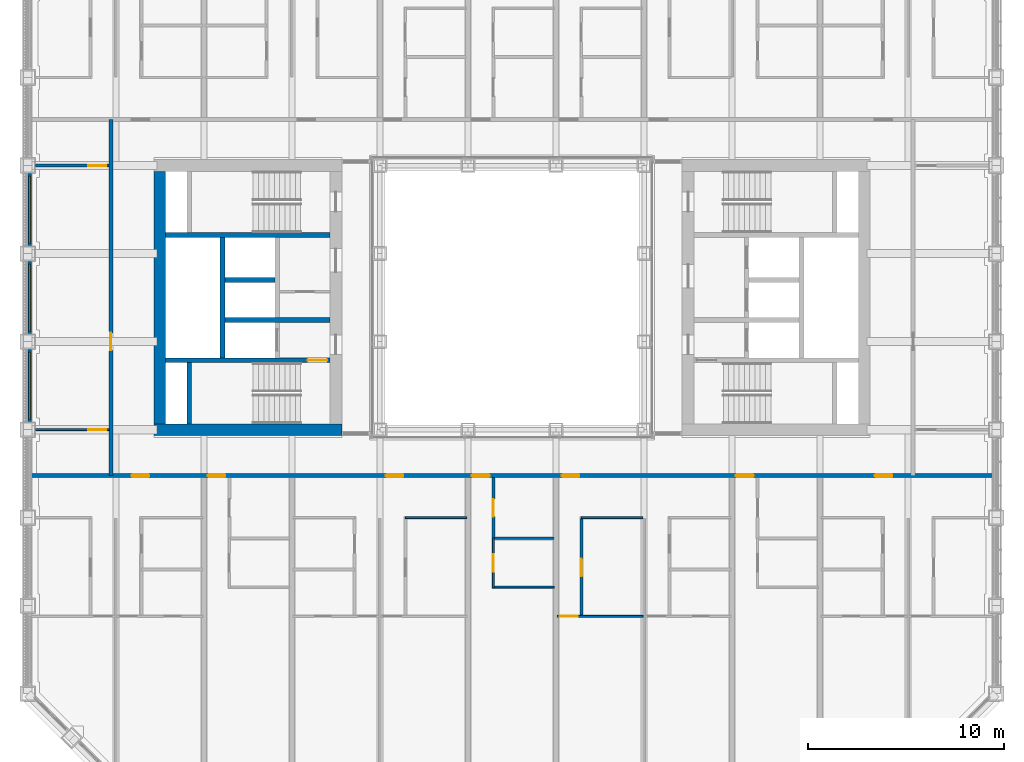
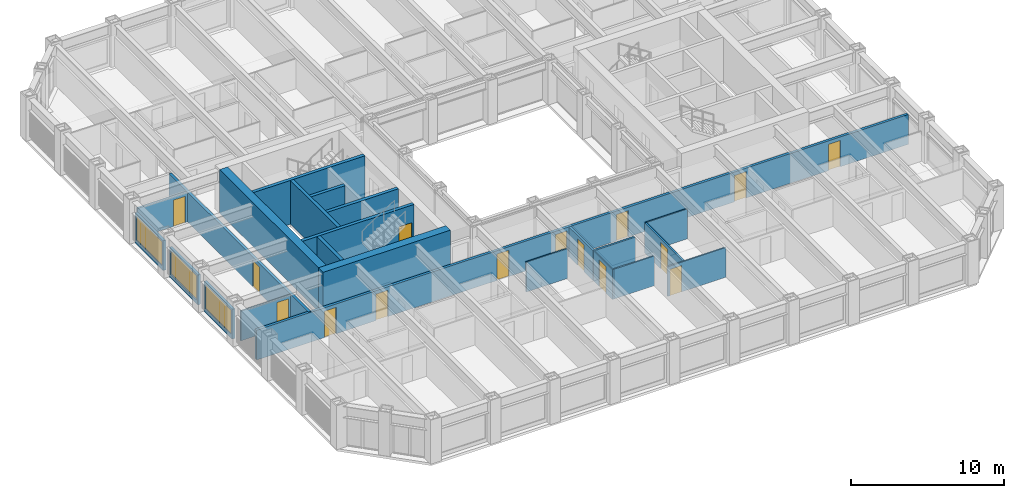
# One storey, part 10 of 21: 23 walls, 15 doors, 3 windows, 18 openings.
"""IFC4 building model written with IfcOpenShell, lengths in metres."""

from ifc_helpers import new_model, si_unit, direction, frame, frame_2d, origin, place, context, subcontext, project, spatial, rectangle, extrude, material, layer, layer_set, type_object, element, fill, save


model = new_model("IFC4")

# Units and contexts
model_context = context("Model", 3, precision=1e-05, world=origin(), true_north=direction((0.0, 1.0)))
body_context = subcontext(model_context, "Body", "Model", "MODEL_VIEW")
ifc_project = project(units=[si_unit("LENGTHUNIT", "METRE"), si_unit("AREAUNIT", "SQUARE_METRE"), si_unit("VOLUMEUNIT", "CUBIC_METRE"), si_unit("PLANEANGLEUNIT", "RADIAN"), si_unit("MASSUNIT", "GRAM", prefix="KILO")], contexts=[model_context])

# Site, building, storey
site_placement = place(None, origin())
site = spatial("IfcSite", under=ifc_project, at=site_placement, CompositionType="ELEMENT")
building_placement = place(site_placement, origin())
building = spatial("IfcBuilding", under=site, at=building_placement, Name="Msasa Ring Tower", CompositionType="ELEMENT")
storey_placement = place(building_placement, frame((0.0, 0.0, 37.0)))
storey = spatial("IfcBuildingStorey", under=building, at=storey_placement, Name="L08", CompositionType="ELEMENT", Elevation=37.0)

# Walls
ifc_material_1 = material(Name="Concrete C60/75", Category="concrete")
ifc_layer_1 = layer(ifc_material_1, 0.60009765625)
ifc_layer_set_1 = layer_set([ifc_layer_1], Name="CW1 CORE WALL 600")
wall_type_1 = type_object("IfcWallType", Name="CW1 CORE WALL 600", PredefinedType="SHEAR", material=ifc_layer_set_1)
wall_1_placement = place(storey_placement, frame((-8.699951171875, -6.75, 0.0), z_axis=(0.0, 0.0, 1.0), x_axis=(-1.0, 0.0, 0.0)))
element("IfcWall", 1, at=wall_1_placement, inside=storey, type_object=wall_type_1, Name="W core wall S L08", PredefinedType="SHEAR", context=body_context, shape_type="SweptSolid", body=[
    extrude(rectangle(XDim=9.60009765625, YDim=0.60009765625, at=frame_2d((4.800048828125, 0.0))), origin(), (0.0, 0.0, 1.0), 3.5),
])
wall_2_placement = place(storey_placement, frame((-18.0, -6.449951171875, 0.0), z_axis=(0.0, 0.0, 1.0), x_axis=(0.0, 1.0, 0.0)))
element("IfcWall", 2, at=wall_2_placement, inside=storey, type_object=wall_type_1, Name="W core wall E L08", PredefinedType="SHEAR", context=body_context, shape_type="SweptSolid", body=[
    extrude(rectangle(XDim=12.89990234375, YDim=0.60009765625, at=frame_2d((6.449951171875, 0.0))), origin(), (0.0, 0.0, 1.0), 3.5),
])

# Wall, opening, door
ifc_material_2 = material(Name="Concrete C60/75", Category="concrete")
ifc_layer_2 = layer(ifc_material_2, 0.25)
ifc_layer_set_2 = layer_set([ifc_layer_2], Name="CW4 CORE INNER WALL 250")
wall_type_2 = type_object("IfcWallType", Name="CW4 CORE INNER WALL 250", PredefinedType="SHEAR", material=ifc_layer_set_2)
wall_3_placement = place(storey_placement, frame((-9.300048828125, -3.199951171875, 0.0), z_axis=(0.0, 0.0, 1.0), x_axis=(-1.0, 0.0, 0.0)))
wall_3 = element("IfcWall", 3, at=wall_3_placement, inside=storey, type_object=wall_type_2, Name="W core wall STAIRA L08", PredefinedType="SHEAR", context=body_context, shape_type="SweptSolid", body=[
    extrude(rectangle(XDim=8.39990234375, YDim=0.25, at=frame_2d((4.199951171875, 0.0))), origin(), (0.0, 0.0, 1.0), 3.5),
])
opening_1_placement = place(wall_3_placement, frame((0.14990234375, 0.0, 0.0)))
opening_1 = element("IfcOpeningElement", 4, at=opening_1_placement, cuts=wall_3, Name="Opening RB-047", PredefinedType="OPENING", context=body_context, shape_type="SweptSolid", body=[
    extrude(rectangle(XDim=1.0, YDim=2.10009765625, at=frame_2d((0.5, 1.050048828125))), frame((0.0, 0.135009765625, 0.0), z_axis=(0.0, -1.0, 0.0), x_axis=(1.0, 0.0, 0.0)), (0.0, 0.0, 1.0), 0.27001953125),
])
ifc_material_3 = material(Name="Timber door leaf in a steel frame", Category="steel")
door_type_1 = type_object("IfcDoorType", Name="D6 STAIR DOOR 1000x2100", OperationType="SINGLE_SWING_LEFT", PredefinedType="DOOR", material=ifc_material_3)
door_1_placement = place(opening_1_placement, origin())
door_1 = element("IfcDoor", 5, at=door_1_placement, inside=storey, type_object=door_type_1, Name="Door L08-WSTA", OperationType="SINGLE_SWING_LEFT", OverallHeight=2.10009765625, OverallWidth=1.0, PredefinedType="DOOR", context=body_context, shape_type="SweptSolid", body=[
    extrude(rectangle(XDim=1.0, YDim=2.10009765625, at=frame_2d((0.5, 1.050048828125))), frame((0.0, 0.02490234375, 0.0), z_axis=(0.0, -1.0, 0.0), x_axis=(1.0, 0.0, 0.0)), (0.0, 0.0, 1.0), 0.050048828125),
])
fill(opening_1, door_1)

# Walls
wall_4_placement = place(storey_placement, frame((-9.300048828125, 3.199951171875, 0.0), z_axis=(0.0, 0.0, 1.0), x_axis=(-1.0, 0.0, 0.0)))
element("IfcWall", 6, at=wall_4_placement, inside=storey, type_object=wall_type_2, Name="W core wall STAIRB L08", PredefinedType="SHEAR", context=body_context, shape_type="SweptSolid", body=[
    extrude(rectangle(XDim=8.39990234375, YDim=0.25, at=frame_2d((4.199951171875, 0.0))), origin(), (0.0, 0.0, 1.0), 3.5),
])
wall_5_placement = place(storey_placement, frame((-16.5, -6.449951171875, 0.0), z_axis=(0.0, 0.0, 1.0), x_axis=(0.0, 1.0, 0.0)))
element("IfcWall", 7, at=wall_5_placement, inside=storey, type_object=wall_type_2, Name="W core wall RISERA L08", PredefinedType="SHEAR", context=body_context, shape_type="SweptSolid", body=[
    extrude(rectangle(XDim=3.125, YDim=0.25, at=frame_2d((1.5625, 0.0))), origin(), (0.0, 0.0, 1.0), 3.5),
])
wall_6_placement = place(storey_placement, frame((-9.300048828125, -1.14990234375, 0.0), z_axis=(0.0, 0.0, 1.0), x_axis=(-1.0, 0.0, 0.0)))
element("IfcWall", 8, at=wall_6_placement, inside=storey, type_object=wall_type_2, Name="W core wall FFL L08", PredefinedType="SHEAR", context=body_context, shape_type="SweptSolid", body=[
    extrude(rectangle(XDim=5.375, YDim=0.25, at=frame_2d((2.6875, 0.0))), origin(), (0.0, 0.0, 1.0), 3.5),
])
wall_7_placement = place(storey_placement, frame((-14.800048828125, -3.074951171875, 0.0), z_axis=(0.0, 0.0, 1.0), x_axis=(0.0, 1.0, 0.0)))
element("IfcWall", 9, at=wall_7_placement, inside=storey, type_object=wall_type_2, Name="W core wall SHAFT L08", PredefinedType="SHEAR", context=body_context, shape_type="SweptSolid", body=[
    extrude(rectangle(XDim=6.14990234375, YDim=0.25, at=frame_2d((3.074951171875, 0.0))), origin(), (0.0, 0.0, 1.0), 3.5),
])
wall_8_placement = place(storey_placement, frame((-12.125, 0.89990234375, 0.0), z_axis=(0.0, 0.0, 1.0), x_axis=(-1.0, 0.0, 0.0)))
element("IfcWall", 10, at=wall_8_placement, inside=storey, type_object=wall_type_2, Name="W core wall LIFT1 L08", PredefinedType="SHEAR", context=body_context, shape_type="SweptSolid", body=[
    extrude(rectangle(XDim=2.550048828125, YDim=0.25, at=frame_2d((1.27490234375, 0.0))), origin(), (0.0, 0.0, 1.0), 3.5),
])

# Wall, opening, window
ifc_material_4 = material(Name="Terracotta rainscreen on blockwork", Category="masonry")
ifc_layer_3 = layer(ifc_material_4, 0.199951171875)
ifc_layer_set_3 = layer_set([ifc_layer_3], Name="FW1 TERRACOTTA-LINED INFILL BAY WALL 200")
wall_type_3 = type_object("IfcWallType", Name="FW1 TERRACOTTA-LINED INFILL BAY WALL 200", PredefinedType="SOLIDWALL", material=ifc_layer_set_3)
wall_9_placement = place(storey_placement, frame((-24.64990234375, -6.344970703125, 0.0), z_axis=(0.0, 0.0, 1.0), x_axis=(0.0, 1.0, 0.0)))
wall_9 = element("IfcWall", 11, at=wall_9_placement, inside=storey, type_object=wall_type_3, Name="Infill bay wall W L08 36", PredefinedType="SOLIDWALL", context=body_context, shape_type="SweptSolid", body=[
    extrude(rectangle(XDim=3.68994140625, YDim=0.199951171875, at=frame_2d((1.844970703125, 0.0))), origin(), (0.0, 0.0, 1.0), 2.37890625),
])
opening_2_placement = place(wall_9_placement, frame((0.14501953125, 0.0, 0.300048828125)))
opening_2 = element("IfcOpeningElement", 12, at=opening_2_placement, cuts=wall_9, Name="Opening WN1", PredefinedType="OPENING", context=body_context, shape_type="SweptSolid", body=[
    extrude(rectangle(XDim=3.39990234375, YDim=1.928955078125, at=frame_2d((1.699951171875, 0.96435546875))), frame((0.0, 0.10986328125, 0.0), z_axis=(0.0, -1.0, 0.0), x_axis=(1.0, 0.0, 0.0)), (0.0, 0.0, 1.0), 0.219970703125),
])
ifc_material_5 = material(Name="Aluminium frame with clear glass", Category="aluminium")
window_type = type_object("IfcWindowType", Name="WN1 RESIDENCE WINDOW 3400x1929", PartitioningType="SINGLE_PANEL", PredefinedType="WINDOW", material=ifc_material_5)
window_1_placement = place(opening_2_placement, origin())
window_1 = element("IfcWindow", 13, at=window_1_placement, inside=storey, type_object=window_type, Name="Window W L08 36", OverallHeight=1.928955078125, OverallWidth=3.39990234375, PartitioningType="SINGLE_PANEL", PredefinedType="WINDOW", context=body_context, shape_type="SweptSolid", body=[
    extrude(rectangle(XDim=3.39990234375, YDim=1.928955078125, at=frame_2d((1.699951171875, 0.96435546875))), frame((0.0, 0.030029296875, 0.0), z_axis=(0.0, -1.0, 0.0), x_axis=(1.0, 0.0, 0.0)), (0.0, 0.0, 1.0), 0.06005859375),
])
fill(opening_2, window_1)

wall_10_placement = place(storey_placement, frame((-24.64990234375, -1.844970703125, 0.0), z_axis=(0.0, 0.0, 1.0), x_axis=(0.0, 1.0, 0.0)))
wall_10 = element("IfcWall", 14, at=wall_10_placement, inside=storey, type_object=wall_type_3, Name="Infill bay wall W L08 37", PredefinedType="SOLIDWALL", context=body_context, shape_type="SweptSolid", body=[
    extrude(rectangle(XDim=3.68994140625, YDim=0.199951171875, at=frame_2d((1.844970703125, 0.0))), origin(), (0.0, 0.0, 1.0), 2.37890625),
])
opening_3_placement = place(wall_10_placement, frame((0.14501953125, 0.0, 0.300048828125)))
opening_3 = element("IfcOpeningElement", 15, at=opening_3_placement, cuts=wall_10, Name="Opening WN1", PredefinedType="OPENING", context=body_context, shape_type="SweptSolid", body=[
    extrude(rectangle(XDim=3.39990234375, YDim=1.928955078125, at=frame_2d((1.699951171875, 0.96435546875))), frame((0.0, 0.10986328125, 0.0), z_axis=(0.0, -1.0, 0.0), x_axis=(1.0, 0.0, 0.0)), (0.0, 0.0, 1.0), 0.219970703125),
])
window_2_placement = place(opening_3_placement, origin())
window_2 = element("IfcWindow", 16, at=window_2_placement, inside=storey, type_object=window_type, Name="Window W L08 37", OverallHeight=1.928955078125, OverallWidth=3.39990234375, PartitioningType="SINGLE_PANEL", PredefinedType="WINDOW", context=body_context, shape_type="SweptSolid", body=[
    extrude(rectangle(XDim=3.39990234375, YDim=1.928955078125, at=frame_2d((1.699951171875, 0.96435546875))), frame((0.0, 0.030029296875, 0.0), z_axis=(0.0, -1.0, 0.0), x_axis=(1.0, 0.0, 0.0)), (0.0, 0.0, 1.0), 0.06005859375),
])
fill(opening_3, window_2)

wall_11_placement = place(storey_placement, frame((-24.64990234375, 2.655029296875, 0.0), z_axis=(0.0, 0.0, 1.0), x_axis=(0.0, 1.0, 0.0)))
wall_11 = element("IfcWall", 17, at=wall_11_placement, inside=storey, type_object=wall_type_3, Name="Infill bay wall W L08 38", PredefinedType="SOLIDWALL", context=body_context, shape_type="SweptSolid", body=[
    extrude(rectangle(XDim=3.68994140625, YDim=0.199951171875, at=frame_2d((1.844970703125, 0.0))), origin(), (0.0, 0.0, 1.0), 2.37890625),
])
opening_4_placement = place(wall_11_placement, frame((0.14501953125, 0.0, 0.300048828125)))
opening_4 = element("IfcOpeningElement", 18, at=opening_4_placement, cuts=wall_11, Name="Opening WN1", PredefinedType="OPENING", context=body_context, shape_type="SweptSolid", body=[
    extrude(rectangle(XDim=3.39990234375, YDim=1.928955078125, at=frame_2d((1.699951171875, 0.96435546875))), frame((0.0, 0.10986328125, 0.0), z_axis=(0.0, -1.0, 0.0), x_axis=(1.0, 0.0, 0.0)), (0.0, 0.0, 1.0), 0.219970703125),
])
window_3_placement = place(opening_4_placement, origin())
window_3 = element("IfcWindow", 19, at=window_3_placement, inside=storey, type_object=window_type, Name="Window W L08 38", OverallHeight=1.928955078125, OverallWidth=3.39990234375, PartitioningType="SINGLE_PANEL", PredefinedType="WINDOW", context=body_context, shape_type="SweptSolid", body=[
    extrude(rectangle(XDim=3.39990234375, YDim=1.928955078125, at=frame_2d((1.699951171875, 0.96435546875))), frame((0.0, 0.030029296875, 0.0), z_axis=(0.0, -1.0, 0.0), x_axis=(1.0, 0.0, 0.0)), (0.0, 0.0, 1.0), 0.06005859375),
])
fill(opening_4, window_3)

# Wall, openings, doors
ifc_material_6 = material(Name="Concrete blockwork", Category="masonry")
ifc_layer_4 = layer(ifc_material_6, 0.199951171875)
ifc_layer_set_4 = layer_set([ifc_layer_4], Name="PT1 CORRIDOR WALL 200")
wall_type_4 = type_object("IfcWallType", Name="PT1 CORRIDOR WALL 200", PredefinedType="PARTITIONING", material=ifc_layer_set_4)
wall_12_placement = place(storey_placement, frame((-24.550048828125, -9.10009765625, 0.0), z_axis=(0.0, 0.0, 1.0), x_axis=(1.0, 0.0, 0.0)))
wall_12 = element("IfcWall", 20, at=wall_12_placement, inside=storey, type_object=wall_type_4, Name="Corridor wall L08-CORRS0", PredefinedType="PARTITIONING", context=body_context, shape_type="SweptSolid", body=[
    extrude(rectangle(XDim=49.10009765625, YDim=0.199951171875, at=frame_2d((24.550048828125, 0.0))), origin(), (0.0, 0.0, 1.0), 2.373291015625),
])
opening_5_placement = place(wall_12_placement, frame((5.10009765625, 0.0, 0.0)))
opening_5 = element("IfcOpeningElement", 21, at=opening_5_placement, cuts=wall_12, Name="Opening RB-053", PredefinedType="OPENING", context=body_context, shape_type="SweptSolid", body=[
    extrude(rectangle(XDim=0.89990234375, YDim=2.10009765625, at=frame_2d((0.449951171875, 1.050048828125))), frame((0.0, 0.10986328125, 0.0), z_axis=(0.0, -1.0, 0.0), x_axis=(1.0, 0.0, 0.0)), (0.0, 0.0, 1.0), 0.219970703125),
])
opening_6_placement = place(wall_12_placement, frame((9.0, 0.0, 0.0)))
opening_6 = element("IfcOpeningElement", 22, at=opening_6_placement, cuts=wall_12, Name="Opening RB-054", PredefinedType="OPENING", context=body_context, shape_type="SweptSolid", body=[
    extrude(rectangle(XDim=0.89990234375, YDim=2.10009765625, at=frame_2d((0.449951171875, 1.050048828125))), frame((0.0, 0.10986328125, 0.0), z_axis=(0.0, -1.0, 0.0), x_axis=(1.0, 0.0, 0.0)), (0.0, 0.0, 1.0), 0.219970703125),
])
opening_7_placement = place(wall_12_placement, frame((18.10009765625, 0.0, 0.0)))
opening_7 = element("IfcOpeningElement", 23, at=opening_7_placement, cuts=wall_12, Name="Opening RB-055", PredefinedType="OPENING", context=body_context, shape_type="SweptSolid", body=[
    extrude(rectangle(XDim=0.89990234375, YDim=2.10009765625, at=frame_2d((0.449951171875, 1.050048828125))), frame((0.0, 0.10986328125, 0.0), z_axis=(0.0, -1.0, 0.0), x_axis=(1.0, 0.0, 0.0)), (0.0, 0.0, 1.0), 0.219970703125),
])
opening_8_placement = place(wall_12_placement, frame((22.5, 0.0, 0.0)))
opening_8 = element("IfcOpeningElement", 24, at=opening_8_placement, cuts=wall_12, Name="Opening RB-056", PredefinedType="OPENING", context=body_context, shape_type="SweptSolid", body=[
    extrude(rectangle(XDim=0.89990234375, YDim=2.10009765625, at=frame_2d((0.449951171875, 1.050048828125))), frame((0.0, 0.10986328125, 0.0), z_axis=(0.0, -1.0, 0.0), x_axis=(1.0, 0.0, 0.0)), (0.0, 0.0, 1.0), 0.219970703125),
])
opening_9_placement = place(wall_12_placement, frame((27.10009765625, 0.0, 0.0)))
opening_9 = element("IfcOpeningElement", 25, at=opening_9_placement, cuts=wall_12, Name="Opening RB-057", PredefinedType="OPENING", context=body_context, shape_type="SweptSolid", body=[
    extrude(rectangle(XDim=0.89990234375, YDim=2.10009765625, at=frame_2d((0.449951171875, 1.050048828125))), frame((0.0, 0.10986328125, 0.0), z_axis=(0.0, -1.0, 0.0), x_axis=(1.0, 0.0, 0.0)), (0.0, 0.0, 1.0), 0.219970703125),
])
opening_10_placement = place(wall_12_placement, frame((36.0, 0.0, 0.0)))
opening_10 = element("IfcOpeningElement", 26, at=opening_10_placement, cuts=wall_12, Name="Opening RB-058", PredefinedType="OPENING", context=body_context, shape_type="SweptSolid", body=[
    extrude(rectangle(XDim=0.89990234375, YDim=2.10009765625, at=frame_2d((0.449951171875, 1.050048828125))), frame((0.0, 0.10986328125, 0.0), z_axis=(0.0, -1.0, 0.0), x_axis=(1.0, 0.0, 0.0)), (0.0, 0.0, 1.0), 0.219970703125),
])
opening_11_placement = place(wall_12_placement, frame((43.10009765625, 0.0, 0.0)))
opening_11 = element("IfcOpeningElement", 27, at=opening_11_placement, cuts=wall_12, Name="Opening RB-059", PredefinedType="OPENING", context=body_context, shape_type="SweptSolid", body=[
    extrude(rectangle(XDim=0.89990234375, YDim=2.10009765625, at=frame_2d((0.449951171875, 1.050048828125))), frame((0.0, 0.10986328125, 0.0), z_axis=(0.0, -1.0, 0.0), x_axis=(1.0, 0.0, 0.0)), (0.0, 0.0, 1.0), 0.219970703125),
])
ifc_material_7 = material(Name="Timber door leaf in a steel frame", Category="steel")
door_type_2 = type_object("IfcDoorType", Name="D2 ENTRANCE DOOR 900x2100", OperationType="SINGLE_SWING_LEFT", PredefinedType="DOOR", material=ifc_material_7)
door_2_placement = place(opening_5_placement, origin())
door_2 = element("IfcDoor", 28, at=door_2_placement, inside=storey, type_object=door_type_2, Name="Door L08-US00", OperationType="SINGLE_SWING_LEFT", OverallHeight=2.10009765625, OverallWidth=0.89990234375, PredefinedType="DOOR", context=body_context, shape_type="SweptSolid", body=[
    extrude(rectangle(XDim=0.89990234375, YDim=2.10009765625, at=frame_2d((0.449951171875, 1.050048828125))), frame((0.0, 0.02490234375, 0.0), z_axis=(0.0, -1.0, 0.0), x_axis=(1.0, 0.0, 0.0)), (0.0, 0.0, 1.0), 0.050048828125),
])
fill(opening_5, door_2)
door_3_placement = place(opening_6_placement, origin())
door_3 = element("IfcDoor", 29, at=door_3_placement, inside=storey, type_object=door_type_2, Name="Door L08-US01", OperationType="SINGLE_SWING_LEFT", OverallHeight=2.10009765625, OverallWidth=0.89990234375, PredefinedType="DOOR", context=body_context, shape_type="SweptSolid", body=[
    extrude(rectangle(XDim=0.89990234375, YDim=2.10009765625, at=frame_2d((0.449951171875, 1.050048828125))), frame((0.0, 0.02490234375, 0.0), z_axis=(0.0, -1.0, 0.0), x_axis=(1.0, 0.0, 0.0)), (0.0, 0.0, 1.0), 0.050048828125),
])
fill(opening_6, door_3)
door_4_placement = place(opening_7_placement, origin())
door_4 = element("IfcDoor", 30, at=door_4_placement, inside=storey, type_object=door_type_2, Name="Door L08-US02", OperationType="SINGLE_SWING_LEFT", OverallHeight=2.10009765625, OverallWidth=0.89990234375, PredefinedType="DOOR", context=body_context, shape_type="SweptSolid", body=[
    extrude(rectangle(XDim=0.89990234375, YDim=2.10009765625, at=frame_2d((0.449951171875, 1.050048828125))), frame((0.0, 0.02490234375, 0.0), z_axis=(0.0, -1.0, 0.0), x_axis=(1.0, 0.0, 0.0)), (0.0, 0.0, 1.0), 0.050048828125),
])
fill(opening_7, door_4)
door_5_placement = place(opening_8_placement, origin())
door_5 = element("IfcDoor", 31, at=door_5_placement, inside=storey, type_object=door_type_2, Name="Door L08-US03", OperationType="SINGLE_SWING_LEFT", OverallHeight=2.10009765625, OverallWidth=0.89990234375, PredefinedType="DOOR", context=body_context, shape_type="SweptSolid", body=[
    extrude(rectangle(XDim=0.89990234375, YDim=2.10009765625, at=frame_2d((0.449951171875, 1.050048828125))), frame((0.0, 0.02490234375, 0.0), z_axis=(0.0, -1.0, 0.0), x_axis=(1.0, 0.0, 0.0)), (0.0, 0.0, 1.0), 0.050048828125),
])
fill(opening_8, door_5)
door_6_placement = place(opening_9_placement, origin())
door_6 = element("IfcDoor", 32, at=door_6_placement, inside=storey, type_object=door_type_2, Name="Door L08-US04", OperationType="SINGLE_SWING_RIGHT", OverallHeight=2.10009765625, OverallWidth=0.89990234375, PredefinedType="DOOR", context=body_context, shape_type="SweptSolid", body=[
    extrude(rectangle(XDim=0.89990234375, YDim=2.10009765625, at=frame_2d((0.449951171875, 1.050048828125))), frame((0.0, 0.02490234375, 0.0), z_axis=(0.0, -1.0, 0.0), x_axis=(1.0, 0.0, 0.0)), (0.0, 0.0, 1.0), 0.050048828125),
])
fill(opening_9, door_6)
door_7_placement = place(opening_10_placement, origin())
door_7 = element("IfcDoor", 33, at=door_7_placement, inside=storey, type_object=door_type_2, Name="Door L08-US05", OperationType="SINGLE_SWING_RIGHT", OverallHeight=2.10009765625, OverallWidth=0.89990234375, PredefinedType="DOOR", context=body_context, shape_type="SweptSolid", body=[
    extrude(rectangle(XDim=0.89990234375, YDim=2.10009765625, at=frame_2d((0.449951171875, 1.050048828125))), frame((0.0, 0.02490234375, 0.0), z_axis=(0.0, -1.0, 0.0), x_axis=(1.0, 0.0, 0.0)), (0.0, 0.0, 1.0), 0.050048828125),
])
fill(opening_10, door_7)
door_8_placement = place(opening_11_placement, origin())
door_8 = element("IfcDoor", 34, at=door_8_placement, inside=storey, type_object=door_type_2, Name="Door L08-US06", OperationType="SINGLE_SWING_RIGHT", OverallHeight=2.10009765625, OverallWidth=0.89990234375, PredefinedType="DOOR", context=body_context, shape_type="SweptSolid", body=[
    extrude(rectangle(XDim=0.89990234375, YDim=2.10009765625, at=frame_2d((0.449951171875, 1.050048828125))), frame((0.0, 0.02490234375, 0.0), z_axis=(0.0, -1.0, 0.0), x_axis=(1.0, 0.0, 0.0)), (0.0, 0.0, 1.0), 0.050048828125),
])
fill(opening_11, door_8)

# Wall, opening, door
wall_13_placement = place(storey_placement, frame((-20.5, -9.10009765625, 0.0), z_axis=(0.0, 0.0, 1.0), x_axis=(0.0, 1.0, 0.0)))
wall_13 = element("IfcWall", 35, at=wall_13_placement, inside=storey, type_object=wall_type_4, Name="Corridor wall L08-STRW", PredefinedType="PARTITIONING", context=body_context, shape_type="SweptSolid", body=[
    extrude(rectangle(XDim=18.2001953125, YDim=0.199951171875, at=frame_2d((9.10009765625, 0.0))), origin(), (0.0, 0.0, 1.0), 2.373291015625),
])
opening_12_placement = place(wall_13_placement, frame((6.39990234375, 0.0, 0.0)))
opening_12 = element("IfcOpeningElement", 36, at=opening_12_placement, cuts=wall_13, Name="Opening RB-043", PredefinedType="OPENING", context=body_context, shape_type="SweptSolid", body=[
    extrude(rectangle(XDim=0.89990234375, YDim=2.10009765625, at=frame_2d((0.449951171875, 1.050048828125))), frame((0.0, 0.10986328125, 0.0), z_axis=(0.0, -1.0, 0.0), x_axis=(1.0, 0.0, 0.0)), (0.0, 0.0, 1.0), 0.219970703125),
])
door_9_placement = place(opening_12_placement, origin())
door_9 = element("IfcDoor", 37, at=door_9_placement, inside=storey, type_object=door_type_2, Name="Door L08-STW", OperationType="SINGLE_SWING_LEFT", OverallHeight=2.10009765625, OverallWidth=0.89990234375, PredefinedType="DOOR", context=body_context, shape_type="SweptSolid", body=[
    extrude(rectangle(XDim=0.89990234375, YDim=2.10009765625, at=frame_2d((0.449951171875, 1.050048828125))), frame((0.0, 0.02490234375, 0.0), z_axis=(0.0, -1.0, 0.0), x_axis=(1.0, 0.0, 0.0)), (0.0, 0.0, 1.0), 0.050048828125),
])
fill(opening_12, door_9)

# Walls
ifc_material_8 = material(Name="Gypsum board on steel studs", Category="steel")
ifc_layer_5 = layer(ifc_material_8, 0.10009765625)
ifc_layer_set_5 = layer_set([ifc_layer_5], Name="PT2 STUD PARTITION 100")
wall_type_5 = type_object("IfcWallType", Name="PT2 STUD PARTITION 100", PredefinedType="PARTITIONING", material=ifc_layer_set_5)
wall_14_placement = place(storey_placement, frame((-5.449951171875, -11.25, 0.0), z_axis=(0.0, 0.0, 1.0), x_axis=(1.0, 0.0, 0.0)))
element("IfcWall", 38, at=wall_14_placement, inside=storey, type_object=wall_type_5, Name="Partition L08-US02HY0", PredefinedType="PARTITIONING", context=body_context, shape_type="SweptSolid", body=[
    extrude(rectangle(XDim=3.139892578125, YDim=0.10009765625, at=frame_2d((1.56982421875, 0.0))), origin(), (0.0, 0.0, 1.0), 2.373291015625),
])
wall_15_placement = place(storey_placement, frame((-0.89990234375, -14.800048828125, 0.0), z_axis=(0.0, 0.0, 1.0), x_axis=(1.0, 0.0, 0.0)))
element("IfcWall", 39, at=wall_15_placement, inside=storey, type_object=wall_type_5, Name="Partition L08-US03KY", PredefinedType="PARTITIONING", context=body_context, shape_type="SweptSolid", body=[
    extrude(rectangle(XDim=3.0498046875, YDim=0.10009765625, at=frame_2d((1.52490234375, 0.0))), origin(), (0.0, 0.0, 1.0), 2.373291015625),
])

# Wall, opening, door
wall_16_placement = place(storey_placement, frame((-0.949951171875, -14.85009765625, 0.0), z_axis=(0.0, 0.0, 1.0), x_axis=(0.0, 1.0, 0.0)))
wall_16 = element("IfcWall", 40, at=wall_16_placement, inside=storey, type_object=wall_type_5, Name="Partition L08-US03KX", PredefinedType="PARTITIONING", context=body_context, shape_type="SweptSolid", body=[
    extrude(rectangle(XDim=2.550048828125, YDim=0.10009765625, at=frame_2d((1.27490234375, 0.0))), origin(), (0.0, 0.0, 1.0), 2.373291015625),
])
opening_13_placement = place(wall_16_placement, frame((0.840087890625, 0.0, 0.0)))
opening_13 = element("IfcOpeningElement", 41, at=opening_13_placement, cuts=wall_16, Name="Opening RB-068", PredefinedType="OPENING", context=body_context, shape_type="SweptSolid", body=[
    extrude(rectangle(XDim=0.89990234375, YDim=2.10009765625, at=frame_2d((0.449951171875, 1.050048828125))), frame((0.0, 0.06005859375, 0.0), z_axis=(0.0, -1.0, 0.0), x_axis=(1.0, 0.0, 0.0)), (0.0, 0.0, 1.0), 0.1201171875),
])
ifc_material_9 = material(Name="Timber door leaf in a steel frame", Category="steel")
door_type_3 = type_object("IfcDoorType", Name="D22 INTERNAL HALL DOOR 900x2100", OperationType="SINGLE_SWING_LEFT", PredefinedType="DOOR", material=ifc_material_9)
door_10_placement = place(opening_13_placement, origin())
door_10 = element("IfcDoor", 42, at=door_10_placement, inside=storey, type_object=door_type_3, Name="Door L08-US03K", OperationType="SINGLE_SWING_LEFT", OverallHeight=2.10009765625, OverallWidth=0.89990234375, PredefinedType="DOOR", context=body_context, shape_type="SweptSolid", body=[
    extrude(rectangle(XDim=0.89990234375, YDim=2.10009765625, at=frame_2d((0.449951171875, 1.050048828125))), frame((0.0, 0.02490234375, 0.0), z_axis=(0.0, -1.0, 0.0), x_axis=(1.0, 0.0, 0.0)), (0.0, 0.0, 1.0), 0.050048828125),
])
fill(opening_13, door_10)

# Wall
wall_17_placement = place(storey_placement, frame((3.550048828125, -11.25, 0.0), z_axis=(0.0, 0.0, 1.0), x_axis=(1.0, 0.0, 0.0)))
element("IfcWall", 43, at=wall_17_placement, inside=storey, type_object=wall_type_5, Name="Partition L08-US04HY0", PredefinedType="PARTITIONING", context=body_context, shape_type="SweptSolid", body=[
    extrude(rectangle(XDim=3.139892578125, YDim=0.10009765625, at=frame_2d((1.56982421875, 0.0))), origin(), (0.0, 0.0, 1.0), 2.373291015625),
])

# Wall, opening, door
wall_18_placement = place(storey_placement, frame((2.31005859375, -16.300048828125, 0.0), z_axis=(0.0, 0.0, 1.0), x_axis=(1.0, 0.0, 0.0)))
wall_18 = element("IfcWall", 44, at=wall_18_placement, inside=storey, type_object=wall_type_5, Name="Partition L08-US04SY0", PredefinedType="PARTITIONING", context=body_context, shape_type="SweptSolid", body=[
    extrude(rectangle(XDim=4.389892578125, YDim=0.10009765625, at=frame_2d((2.19482421875, 0.0))), origin(), (0.0, 0.0, 1.0), 2.373291015625),
])
opening_14_placement = place(wall_18_placement, frame((0.139892578125, 0.0, 0.0)))
opening_14 = element("IfcOpeningElement", 45, at=opening_14_placement, cuts=wall_18, Name="Opening RB-080", PredefinedType="OPENING", context=body_context, shape_type="SweptSolid", body=[
    extrude(rectangle(XDim=0.89990234375, YDim=2.10009765625, at=frame_2d((0.449951171875, 1.050048828125))), frame((0.0, 0.06005859375, 0.0), z_axis=(0.0, -1.0, 0.0), x_axis=(1.0, 0.0, 0.0)), (0.0, 0.0, 1.0), 0.1201171875),
])
door_11_placement = place(opening_14_placement, origin())
door_11 = element("IfcDoor", 46, at=door_11_placement, inside=storey, type_object=door_type_3, Name="Door L08-US04L", OperationType="SINGLE_SWING_LEFT", OverallHeight=2.10009765625, OverallWidth=0.89990234375, PredefinedType="DOOR", context=body_context, shape_type="SweptSolid", body=[
    extrude(rectangle(XDim=0.89990234375, YDim=2.10009765625, at=frame_2d((0.449951171875, 1.050048828125))), frame((0.0, 0.02490234375, 0.0), z_axis=(0.0, -1.0, 0.0), x_axis=(1.0, 0.0, 0.0)), (0.0, 0.0, 1.0), 0.050048828125),
])
fill(opening_14, door_11)

wall_19_placement = place(storey_placement, frame((-24.35009765625, -6.75, 0.0), z_axis=(0.0, 0.0, 1.0), x_axis=(1.0, 0.0, 0.0)))
wall_19 = element("IfcWall", 47, at=wall_19_placement, inside=storey, type_object=wall_type_5, Name="Partition L08-STWKY", PredefinedType="PARTITIONING", context=body_context, shape_type="SweptSolid", body=[
    extrude(rectangle(XDim=3.75, YDim=0.10009765625, at=frame_2d((1.875, 0.0))), origin(), (0.0, 0.0, 1.0), 2.373291015625),
])
opening_15_placement = place(wall_19_placement, frame((2.699951171875, 0.0, 0.0)))
opening_15 = element("IfcOpeningElement", 48, at=opening_15_placement, cuts=wall_19, Name="Opening RB-049", PredefinedType="OPENING", context=body_context, shape_type="SweptSolid", body=[
    extrude(rectangle(XDim=0.89990234375, YDim=2.10009765625, at=frame_2d((0.449951171875, 1.050048828125))), frame((0.0, 0.06005859375, 0.0), z_axis=(0.0, -1.0, 0.0), x_axis=(1.0, 0.0, 0.0)), (0.0, 0.0, 1.0), 0.1201171875),
])
door_12_placement = place(opening_15_placement, origin())
door_12 = element("IfcDoor", 49, at=door_12_placement, inside=storey, type_object=door_type_3, Name="Door L08-STWK", OperationType="SINGLE_SWING_RIGHT", OverallHeight=2.10009765625, OverallWidth=0.89990234375, PredefinedType="DOOR", context=body_context, shape_type="SweptSolid", body=[
    extrude(rectangle(XDim=0.89990234375, YDim=2.10009765625, at=frame_2d((0.449951171875, 1.050048828125))), frame((0.0, 0.02490234375, 0.0), z_axis=(0.0, -1.0, 0.0), x_axis=(1.0, 0.0, 0.0)), (0.0, 0.0, 1.0), 0.050048828125),
])
fill(opening_15, door_12)

ifc_material_10 = material(Name="Moisture-resistant board on steel studs with a concealed cistern and pipe void, tiled", Category="steel")
ifc_layer_6 = layer(ifc_material_10, 0.14990234375)
ifc_layer_set_6 = layer_set([ifc_layer_6], Name="PT4 BATHROOM WET WALL 150")
wall_type_6 = type_object("IfcWallType", Name="PT4 BATHROOM WET WALL 150", PredefinedType="PARTITIONING", material=ifc_layer_set_6)
wall_20_placement = place(storey_placement, frame((-0.949951171875, -12.35009765625, 0.0), z_axis=(0.0, 0.0, 1.0), x_axis=(0.0, 1.0, 0.0)))
wall_20 = element("IfcWall", 50, at=wall_20_placement, inside=storey, type_object=wall_type_6, Name="Partition L08-US03BX", PredefinedType="PARTITIONING", context=body_context, shape_type="SweptSolid", body=[
    extrude(rectangle(XDim=3.150146484375, YDim=0.14990234375, at=frame_2d((1.5751953125, 0.0))), origin(), (0.0, 0.0, 1.0), 2.373291015625),
])
opening_16_placement = place(wall_20_placement, frame((1.14990234375, 0.0, 0.0)))
opening_16 = element("IfcOpeningElement", 51, at=opening_16_placement, cuts=wall_20, Name="Opening RB-061", PredefinedType="OPENING", context=body_context, shape_type="SweptSolid", body=[
    extrude(rectangle(XDim=0.89990234375, YDim=2.10009765625, at=frame_2d((0.449951171875, 1.050048828125))), frame((0.0, 0.0849609375, 0.0), z_axis=(0.0, -1.0, 0.0), x_axis=(1.0, 0.0, 0.0)), (0.0, 0.0, 1.0), 0.169921875),
])
ifc_material_11 = material(Name="Timber door leaf in a steel frame", Category="steel")
door_type_4 = type_object("IfcDoorType", Name="D3 BATHROOM DOOR 900x2100", OperationType="SINGLE_SWING_LEFT", PredefinedType="DOOR", material=ifc_material_11)
door_13_placement = place(opening_16_placement, origin())
door_13 = element("IfcDoor", 52, at=door_13_placement, inside=storey, type_object=door_type_4, Name="Door L08-US03B", OperationType="SINGLE_SWING_LEFT", OverallHeight=2.10009765625, OverallWidth=0.89990234375, PredefinedType="DOOR", context=body_context, shape_type="SweptSolid", body=[
    extrude(rectangle(XDim=0.89990234375, YDim=2.10009765625, at=frame_2d((0.449951171875, 1.050048828125))), frame((0.0, 0.02490234375, 0.0), z_axis=(0.0, -1.0, 0.0), x_axis=(1.0, 0.0, 0.0)), (0.0, 0.0, 1.0), 0.050048828125),
])
fill(opening_16, door_13)

# Wall
wall_21_placement = place(storey_placement, frame((-0.89990234375, -12.300048828125, 0.0), z_axis=(0.0, 0.0, 1.0), x_axis=(1.0, 0.0, 0.0)))
element("IfcWall", 53, at=wall_21_placement, inside=storey, type_object=wall_type_6, Name="Partition L08-US03BY", PredefinedType="PARTITIONING", context=body_context, shape_type="SweptSolid", body=[
    extrude(rectangle(XDim=3.0498046875, YDim=0.14990234375, at=frame_2d((1.52490234375, 0.0))), origin(), (0.0, 0.0, 1.0), 2.373291015625),
])

# Wall, opening, door
wall_22_placement = place(storey_placement, frame((3.550048828125, -16.300048828125, 0.0), z_axis=(0.0, 0.0, 1.0), x_axis=(0.0, 1.0, 0.0)))
wall_22 = element("IfcWall", 54, at=wall_22_placement, inside=storey, type_object=wall_type_6, Name="Partition L08-US04SX0", PredefinedType="PARTITIONING", context=body_context, shape_type="SweptSolid", body=[
    extrude(rectangle(XDim=5.0, YDim=0.14990234375, at=frame_2d((2.5, 0.0))), origin(), (0.0, 0.0, 1.0), 2.373291015625),
])
opening_17_placement = place(wall_22_placement, frame((2.050048828125, 0.0, 0.0)))
opening_17 = element("IfcOpeningElement", 55, at=opening_17_placement, cuts=wall_22, Name="Opening RB-072", PredefinedType="OPENING", context=body_context, shape_type="SweptSolid", body=[
    extrude(rectangle(XDim=0.89990234375, YDim=2.10009765625, at=frame_2d((0.449951171875, 1.050048828125))), frame((0.0, 0.0849609375, 0.0), z_axis=(0.0, -1.0, 0.0), x_axis=(1.0, 0.0, 0.0)), (0.0, 0.0, 1.0), 0.169921875),
])
door_14_placement = place(opening_17_placement, origin())
door_14 = element("IfcDoor", 56, at=door_14_placement, inside=storey, type_object=door_type_3, Name="Door L08-US04K", OperationType="SINGLE_SWING_LEFT", OverallHeight=2.10009765625, OverallWidth=0.89990234375, PredefinedType="DOOR", context=body_context, shape_type="SweptSolid", body=[
    extrude(rectangle(XDim=0.89990234375, YDim=2.10009765625, at=frame_2d((0.449951171875, 1.050048828125))), frame((0.0, 0.02490234375, 0.0), z_axis=(0.0, -1.0, 0.0), x_axis=(1.0, 0.0, 0.0)), (0.0, 0.0, 1.0), 0.050048828125),
])
fill(opening_17, door_14)

wall_23_placement = place(storey_placement, frame((-24.35009765625, 6.75, 0.0), z_axis=(0.0, 0.0, 1.0), x_axis=(1.0, 0.0, 0.0)))
wall_23 = element("IfcWall", 57, at=wall_23_placement, inside=storey, type_object=wall_type_6, Name="Partition L08-STWBY", PredefinedType="PARTITIONING", context=body_context, shape_type="SweptSolid", body=[
    extrude(rectangle(XDim=3.75, YDim=0.14990234375, at=frame_2d((1.875, 0.0))), origin(), (0.0, 0.0, 1.0), 2.373291015625),
])
opening_18_placement = place(wall_23_placement, frame((2.699951171875, 0.0, 0.0)))
opening_18 = element("IfcOpeningElement", 58, at=opening_18_placement, cuts=wall_23, Name="Opening RB-036", PredefinedType="OPENING", context=body_context, shape_type="SweptSolid", body=[
    extrude(rectangle(XDim=0.89990234375, YDim=2.10009765625, at=frame_2d((0.449951171875, 1.050048828125))), frame((0.0, 0.0849609375, 0.0), z_axis=(0.0, -1.0, 0.0), x_axis=(1.0, 0.0, 0.0)), (0.0, 0.0, 1.0), 0.169921875),
])
door_15_placement = place(opening_18_placement, origin())
door_15 = element("IfcDoor", 59, at=door_15_placement, inside=storey, type_object=door_type_4, Name="Door L08-STWB", OperationType="SINGLE_SWING_RIGHT", OverallHeight=2.10009765625, OverallWidth=0.89990234375, PredefinedType="DOOR", context=body_context, shape_type="SweptSolid", body=[
    extrude(rectangle(XDim=0.89990234375, YDim=2.10009765625, at=frame_2d((0.449951171875, 1.050048828125))), frame((0.0, 0.02490234375, 0.0), z_axis=(0.0, -1.0, 0.0), x_axis=(1.0, 0.0, 0.0)), (0.0, 0.0, 1.0), 0.050048828125),
])
fill(opening_18, door_15)

save(model, "model.ifc")
